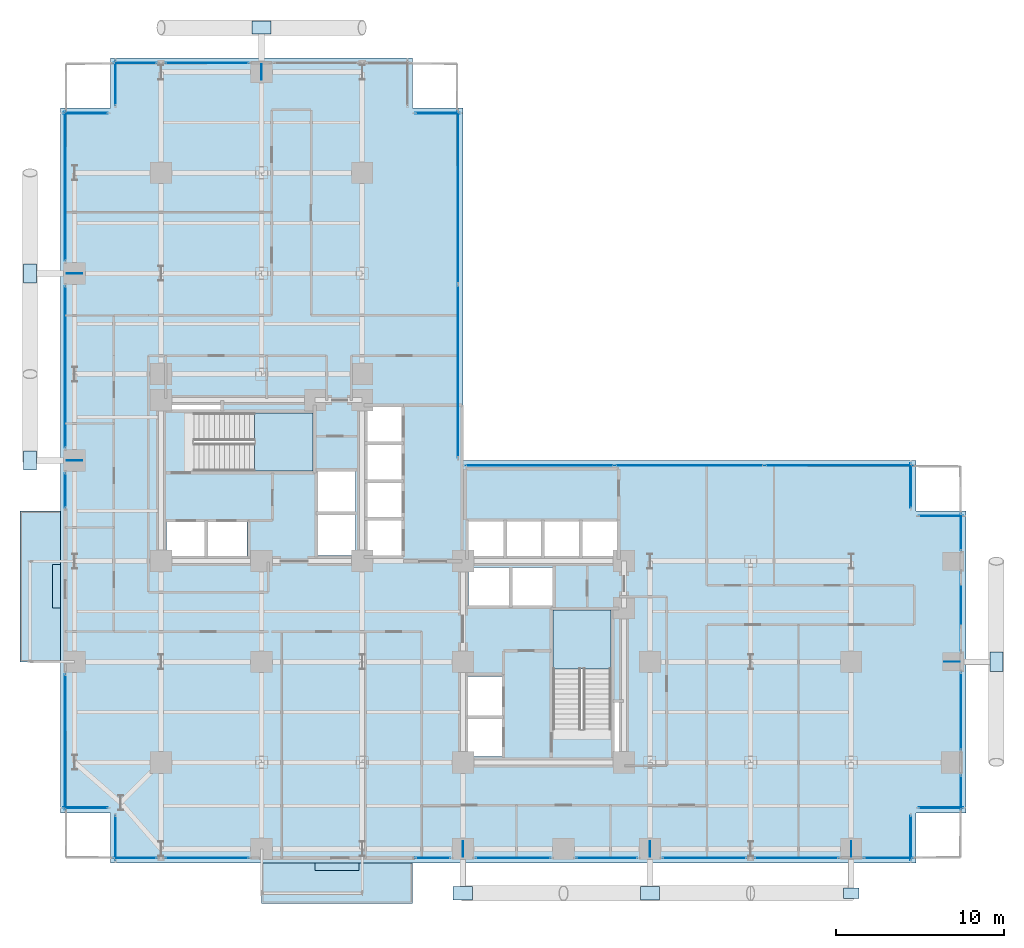
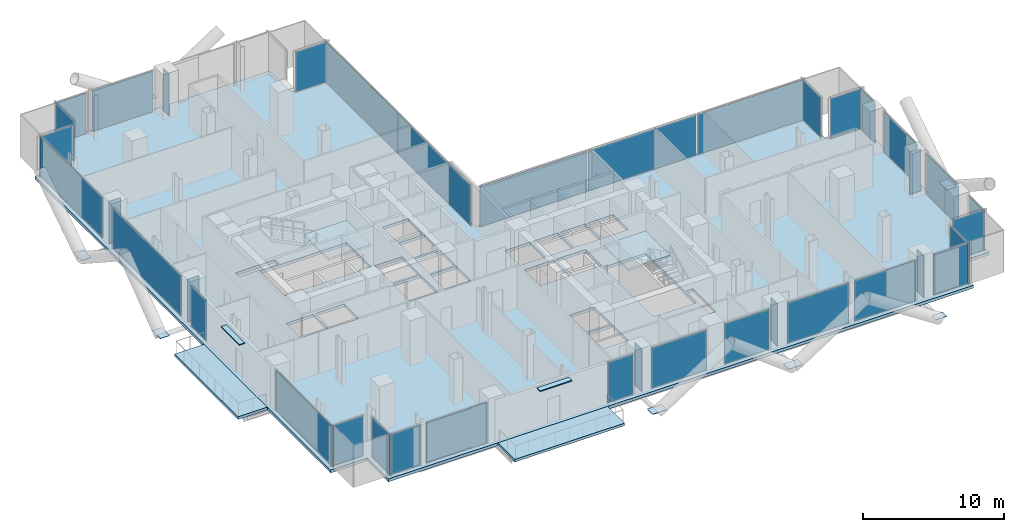
# One storey, part 17 of 25: 48 plates, 5 slabs, 31 elements without a shape of their own.
"""IFC4 building model written with IfcOpenShell, lengths in metres."""

from ifc_helpers import new_model, si_unit, direction, frame, origin, origin_2d, place, context, subcontext, project, spatial, polyline, rectangle, outline, extrude, material, layer, layer_set, type_object, element, aggregate, save


model = new_model("IFC4")

# Units and contexts
model_context = context("Model", 3, precision=1e-05, world=origin(), true_north=direction((0.0, 1.0)))
body_context = subcontext(model_context, "Body", "Model", "MODEL_VIEW")
ifc_project = project(units=[si_unit("LENGTHUNIT", "METRE"), si_unit("AREAUNIT", "SQUARE_METRE"), si_unit("VOLUMEUNIT", "CUBIC_METRE"), si_unit("PLANEANGLEUNIT", "RADIAN"), si_unit("MASSUNIT", "GRAM", prefix="KILO"), si_unit("THERMODYNAMICTEMPERATUREUNIT", "KELVIN"), si_unit("POWERUNIT", "WATT")], contexts=[model_context])

# Site, building, storey
site_placement = place(None, origin())
site = spatial("IfcSite", under=ifc_project, at=site_placement, CompositionType="ELEMENT")
building_placement = place(site_placement, origin())
building = spatial("IfcBuilding", under=site, at=building_placement, Name="Svarakhadi Broadcast Tower", CompositionType="ELEMENT")
storey_placement = place(building_placement, frame((0.0, 0.0, 36.300048828125)))
storey = spatial("IfcBuildingStorey", under=building, at=storey_placement, Name="L07", CompositionType="ELEMENT", Elevation=36.300048828125)

# Curtain wall, plate
ifc_material_1 = material(Name="Anodised Bronze Aluminium AA 6063-T6", Category="aluminium")
ifc_layer_1 = layer(ifc_material_1, 0.219970703125)
ifc_layer_set_1 = layer_set([ifc_layer_1], Name="Anodised Bronze Aluminium AA 6063-T6")
curtain_wall_type = type_object("IfcCurtainWallType", Name="CW_Sys_02", PredefinedType="NOTDEFINED", material=ifc_layer_set_1)
curtain_wall_1_placement = place(storey_placement, origin())
curtain_wall_1 = element("IfcCurtainWall", 1, at=curtain_wall_1_placement, inside=storey, type_object=curtain_wall_type, Name="L07 Unitised Facade Curtain Wall 01", PredefinedType="NOTDEFINED")
ifc_material_2 = material(Name="Double Low-E Laminated Acoustic Glass IGU 36 mm", Category="glass")
ifc_layer_2 = layer(ifc_material_2, 0.035888671875)
ifc_layer_set_2 = layer_set([ifc_layer_2], Name="Double Low-E Laminated Acoustic Glass IGU 36 mm")
plate_type_1 = type_object("IfcPlateType", Name="CW_Sys_02_Pnl", PredefinedType="CURTAIN_PANEL", material=ifc_layer_set_2)
plate_1_placement = place(storey_placement, frame((1.5, 3.300048828125, 0.074951171875), z_axis=(0.0, 0.0, 1.0), x_axis=(-1.0, 0.0, 0.0)))
plate_1 = element("IfcPlate", 2, at=plate_1_placement, type_object=plate_type_1, Name="CW-02 panel 1.1", PredefinedType="CURTAIN_PANEL", context=body_context, shape_type="SweptSolid", body=[
    extrude(rectangle(XDim=2.64990234375, YDim=0.035888671875, at=origin_2d()), origin(), (0.0, 0.0, 1.0), 3.5),
])
aggregate(curtain_wall_1, [plate_1])

curtain_wall_2_placement = place(storey_placement, origin())
curtain_wall_2 = element("IfcCurtainWall", 3, at=curtain_wall_2_placement, inside=storey, type_object=curtain_wall_type, Name="L07 West Curtain Wall 02", PredefinedType="NOTDEFINED")
plate_2_placement = place(storey_placement, frame((0.300048828125, 7.2099609375, 0.074951171875), z_axis=(0.0, 0.0, 1.0), x_axis=(0.0, 1.0, 0.0)))
plate_2 = element("IfcPlate", 4, at=plate_2_placement, type_object=plate_type_1, Name="CW-02 panel 1.1", PredefinedType="CURTAIN_PANEL", context=body_context, shape_type="SweptSolid", body=[
    extrude(rectangle(XDim=8.070068359375, YDim=0.035888671875, at=origin_2d()), origin(), (0.0, 0.0, 1.0), 3.5),
])
aggregate(curtain_wall_2, [plate_2])

curtain_wall_3_placement = place(storey_placement, origin())
curtain_wall_3 = element("IfcCurtainWall", 5, at=curtain_wall_3_placement, inside=storey, type_object=curtain_wall_type, Name="L07 West Curtain Wall 03 Bay 1", PredefinedType="NOTDEFINED")
plate_3_placement = place(storey_placement, frame((0.300048828125, 22.2099609375, 0.074951171875), z_axis=(0.0, 0.0, 1.0), x_axis=(0.0, 1.0, 0.0)))
plate_3 = element("IfcPlate", 6, at=plate_3_placement, type_object=plate_type_1, Name="CW-02 panel 1.1", PredefinedType="CURTAIN_PANEL", context=body_context, shape_type="SweptSolid", body=[
    extrude(rectangle(XDim=2.070068359375, YDim=0.035888671875, at=origin_2d()), origin(), (0.0, 0.0, 1.0), 3.5),
])
aggregate(curtain_wall_3, [plate_3])

curtain_wall_4_placement = place(storey_placement, origin())
curtain_wall_4 = element("IfcCurtainWall", 7, at=curtain_wall_4_placement, inside=storey, type_object=curtain_wall_type, Name="L07 West Curtain Wall 03 Bay 2", PredefinedType="NOTDEFINED")
plate_4_placement = place(storey_placement, frame((0.300048828125, 29.574951171875, 0.074951171875), z_axis=(0.0, 0.0, 1.0), x_axis=(0.0, 1.0, 0.0)))
plate_4 = element("IfcPlate", 8, at=plate_4_placement, type_object=plate_type_1, Name="CW-02 panel 1.1", PredefinedType="CURTAIN_PANEL", context=body_context, shape_type="SweptSolid", body=[
    extrude(rectangle(XDim=9.639892578125, YDim=0.035888671875, at=origin_2d()), origin(), (0.0, 0.0, 1.0), 3.5),
])
aggregate(curtain_wall_4, [plate_4])

curtain_wall_5_placement = place(storey_placement, origin())
curtain_wall_5 = element("IfcCurtainWall", 9, at=curtain_wall_5_placement, inside=storey, type_object=curtain_wall_type, Name="L07 West Curtain Wall 03 Bay 3", PredefinedType="NOTDEFINED")
plate_5_placement = place(storey_placement, frame((0.300048828125, 40.364990234375, 0.074951171875), z_axis=(0.0, 0.0, 1.0), x_axis=(0.0, 1.0, 0.0)))
plate_5 = element("IfcPlate", 10, at=plate_5_placement, type_object=plate_type_1, Name="CW-02 panel 1.1", PredefinedType="CURTAIN_PANEL", context=body_context, shape_type="SweptSolid", body=[
    extrude(rectangle(XDim=8.919921875, YDim=0.035888671875, at=origin_2d()), origin(), (0.0, 0.0, 1.0), 3.5),
])
aggregate(curtain_wall_5, [plate_5])

curtain_wall_6_placement = place(storey_placement, origin())
curtain_wall_6 = element("IfcCurtainWall", 11, at=curtain_wall_6_placement, inside=storey, type_object=curtain_wall_type, Name="L07 Unitised Facade Curtain Wall 04", PredefinedType="NOTDEFINED")
plate_6_placement = place(storey_placement, frame((1.5, 44.699951171875, 0.074951171875), z_axis=(0.0, 0.0, 1.0), x_axis=(1.0, 0.0, 0.0)))
plate_6 = element("IfcPlate", 12, at=plate_6_placement, type_object=plate_type_1, Name="CW-02 panel 1.1", PredefinedType="CURTAIN_PANEL", context=body_context, shape_type="SweptSolid", body=[
    extrude(rectangle(XDim=2.64990234375, YDim=0.035888671875, at=origin_2d()), origin(), (0.0, 0.0, 1.0), 3.5),
])
aggregate(curtain_wall_6, [plate_6])

curtain_wall_7_placement = place(storey_placement, origin())
curtain_wall_7 = element("IfcCurtainWall", 13, at=curtain_wall_7_placement, inside=storey, type_object=curtain_wall_type, Name="L07 Unitised Facade Curtain Wall 05", PredefinedType="NOTDEFINED")
plate_7_placement = place(storey_placement, frame((3.300048828125, 46.5, 0.074951171875), z_axis=(0.0, 0.0, 1.0), x_axis=(0.0, 1.0, 0.0)))
plate_7 = element("IfcPlate", 14, at=plate_7_placement, type_object=plate_type_1, Name="CW-02 panel 1.1", PredefinedType="CURTAIN_PANEL", context=body_context, shape_type="SweptSolid", body=[
    extrude(rectangle(XDim=2.64990234375, YDim=0.035888671875, at=origin_2d()), origin(), (0.0, 0.0, 1.0), 3.5),
])
aggregate(curtain_wall_7, [plate_7])

curtain_wall_8_placement = place(storey_placement, origin())
curtain_wall_8 = element("IfcCurtainWall", 15, at=curtain_wall_8_placement, inside=storey, type_object=curtain_wall_type, Name="L07 Unitised Facade Curtain Wall 06 Bay 1", PredefinedType="NOTDEFINED")
plate_8_placement = place(storey_placement, frame((4.4599609375, 47.699951171875, 0.074951171875), z_axis=(0.0, 0.0, 1.0), x_axis=(1.0, 0.0, 0.0)))
plate_8 = element("IfcPlate", 16, at=plate_8_placement, type_object=plate_type_1, Name="CW-02 panel 1.1", PredefinedType="CURTAIN_PANEL", context=body_context, shape_type="SweptSolid", body=[
    extrude(rectangle(XDim=2.570068359375, YDim=0.035888671875, at=origin_2d()), origin(), (0.0, 0.0, 1.0), 3.5),
])
aggregate(curtain_wall_8, [plate_8])

curtain_wall_9_placement = place(storey_placement, origin())
curtain_wall_9 = element("IfcCurtainWall", 17, at=curtain_wall_9_placement, inside=storey, type_object=curtain_wall_type, Name="L07 Unitised Facade Curtain Wall 06 Bay 2", PredefinedType="NOTDEFINED")
plate_9_placement = place(storey_placement, frame((8.75, 47.699951171875, 0.074951171875), z_axis=(0.0, 0.0, 1.0), x_axis=(1.0, 0.0, 0.0)))
plate_9 = element("IfcPlate", 18, at=plate_9_placement, type_object=plate_type_1, Name="CW-02 panel 1.1", PredefinedType="CURTAIN_PANEL", context=body_context, shape_type="SweptSolid", body=[
    extrude(rectangle(XDim=4.989990234375, YDim=0.035888671875, at=origin_2d()), origin(), (0.0, 0.0, 1.0), 3.5),
])
aggregate(curtain_wall_9, [plate_9])

curtain_wall_10_placement = place(storey_placement, origin())
curtain_wall_10 = element("IfcCurtainWall", 19, at=curtain_wall_10_placement, inside=storey, type_object=curtain_wall_type, Name="L07 Unitised Facade Curtain Wall 08", PredefinedType="NOTDEFINED")
plate_10_placement = place(storey_placement, frame((22.5, 44.699951171875, 0.074951171875), z_axis=(0.0, 0.0, 1.0), x_axis=(1.0, 0.0, 0.0)))
plate_10 = element("IfcPlate", 20, at=plate_10_placement, type_object=plate_type_1, Name="CW-02 panel 1.1", PredefinedType="CURTAIN_PANEL", context=body_context, shape_type="SweptSolid", body=[
    extrude(rectangle(XDim=2.64990234375, YDim=0.035888671875, at=origin_2d()), origin(), (0.0, 0.0, 1.0), 3.5),
])
aggregate(curtain_wall_10, [plate_10])

# Curtain wall, plates
curtain_wall_11_placement = place(storey_placement, origin())
curtain_wall_11 = element("IfcCurtainWall", 21, at=curtain_wall_11_placement, inside=storey, type_object=curtain_wall_type, Name="L07 Unitised Facade Curtain Wall 09", PredefinedType="NOTDEFINED")
plate_11_placement = place(storey_placement, frame((23.699951171875, 39.683837890625, 0.074951171875), z_axis=(0.0, 0.0, 1.0), x_axis=(0.0, -1.0, 0.0)))
plate_11 = element("IfcPlate", 22, at=plate_11_placement, type_object=plate_type_1, Name="CW-02 panel 1.1", PredefinedType="CURTAIN_PANEL", context=body_context, shape_type="SweptSolid", body=[
    extrude(rectangle(XDim=10.282470703125, YDim=0.035888671875, at=origin_2d()), origin(), (0.0, 0.0, 1.0), 3.5),
])
plate_12_placement = place(storey_placement, frame((23.699951171875, 29.316162109375, 0.074951171875), z_axis=(0.0, 0.0, 1.0), x_axis=(0.0, -1.0, 0.0)))
plate_12 = element("IfcPlate", 23, at=plate_12_placement, type_object=plate_type_1, Name="CW-02 panel 2.1", PredefinedType="CURTAIN_PANEL", context=body_context, shape_type="SweptSolid", body=[
    extrude(rectangle(XDim=10.282470703125, YDim=0.035888671875, at=origin_2d()), origin(), (0.0, 0.0, 1.0), 3.5),
])
aggregate(curtain_wall_11, [plate_11, plate_12])

curtain_wall_12_placement = place(storey_placement, origin())
curtain_wall_12 = element("IfcCurtainWall", 24, at=curtain_wall_12_placement, inside=storey, type_object=curtain_wall_type, Name="L07 Unitised Facade Curtain Wall 10", PredefinedType="NOTDEFINED")
plate_13_placement = place(storey_placement, frame((28.581298828125, 23.699951171875, 0.074951171875), z_axis=(0.0, 0.0, 1.0), x_axis=(1.0, 0.0, 0.0)))
plate_13 = element("IfcPlate", 25, at=plate_13_placement, type_object=plate_type_1, Name="CW-02 panel 1.1", PredefinedType="CURTAIN_PANEL", context=body_context, shape_type="SweptSolid", body=[
    extrude(rectangle(XDim=8.8125, YDim=0.035888671875, at=origin_2d()), origin(), (0.0, 0.0, 1.0), 3.5),
])
plate_14_placement = place(storey_placement, frame((37.5, 23.699951171875, 0.074951171875), z_axis=(0.0, 0.0, 1.0), x_axis=(1.0, 0.0, 0.0)))
plate_14 = element("IfcPlate", 26, at=plate_14_placement, type_object=plate_type_1, Name="CW-02 panel 2.1", PredefinedType="CURTAIN_PANEL", context=body_context, shape_type="SweptSolid", body=[
    extrude(rectangle(XDim=8.85498046875, YDim=0.035888671875, at=origin_2d()), origin(), (0.0, 0.0, 1.0), 3.5),
])
plate_15_placement = place(storey_placement, frame((46.418701171875, 23.699951171875, 0.074951171875), z_axis=(0.0, 0.0, 1.0), x_axis=(1.0, 0.0, 0.0)))
plate_15 = element("IfcPlate", 27, at=plate_15_placement, type_object=plate_type_1, Name="CW-02 panel 3.1", PredefinedType="CURTAIN_PANEL", context=body_context, shape_type="SweptSolid", body=[
    extrude(rectangle(XDim=8.8125, YDim=0.035888671875, at=origin_2d()), origin(), (0.0, 0.0, 1.0), 3.5),
])
aggregate(curtain_wall_12, [plate_13, plate_14, plate_15])

# Curtain wall, plate
curtain_wall_13_placement = place(storey_placement, origin())
curtain_wall_13 = element("IfcCurtainWall", 28, at=curtain_wall_13_placement, inside=storey, type_object=curtain_wall_type, Name="L07 Unitised Facade Curtain Wall 11", PredefinedType="NOTDEFINED")
plate_16_placement = place(storey_placement, frame((50.699951171875, 22.5, 0.074951171875), z_axis=(0.0, 0.0, 1.0), x_axis=(0.0, -1.0, 0.0)))
plate_16 = element("IfcPlate", 29, at=plate_16_placement, type_object=plate_type_1, Name="CW-02 panel 1.1", PredefinedType="CURTAIN_PANEL", context=body_context, shape_type="SweptSolid", body=[
    extrude(rectangle(XDim=2.64990234375, YDim=0.035888671875, at=origin_2d()), origin(), (0.0, 0.0, 1.0), 3.5),
])
aggregate(curtain_wall_13, [plate_16])

curtain_wall_14_placement = place(storey_placement, origin())
curtain_wall_14 = element("IfcCurtainWall", 30, at=curtain_wall_14_placement, inside=storey, type_object=curtain_wall_type, Name="L07 Unitised Facade Curtain Wall 12", PredefinedType="NOTDEFINED")
plate_17_placement = place(storey_placement, frame((52.5, 20.699951171875, 0.074951171875), z_axis=(0.0, 0.0, 1.0), x_axis=(1.0, 0.0, 0.0)))
plate_17 = element("IfcPlate", 31, at=plate_17_placement, type_object=plate_type_1, Name="CW-02 panel 1.1", PredefinedType="CURTAIN_PANEL", context=body_context, shape_type="SweptSolid", body=[
    extrude(rectangle(XDim=2.64990234375, YDim=0.035888671875, at=origin_2d()), origin(), (0.0, 0.0, 1.0), 3.5),
])
aggregate(curtain_wall_14, [plate_17])

curtain_wall_15_placement = place(storey_placement, origin())
curtain_wall_15 = element("IfcCurtainWall", 32, at=curtain_wall_15_placement, inside=storey, type_object=curtain_wall_type, Name="L07 Unitised Facade Curtain Wall 13 Bay 1", PredefinedType="NOTDEFINED")
plate_18_placement = place(storey_placement, frame((53.699951171875, 19.739990234375, 0.074951171875), z_axis=(0.0, 0.0, 1.0), x_axis=(0.0, -1.0, 0.0)))
plate_18 = element("IfcPlate", 33, at=plate_18_placement, type_object=plate_type_1, Name="CW-02 panel 1.1", PredefinedType="CURTAIN_PANEL", context=body_context, shape_type="SweptSolid", body=[
    extrude(rectangle(XDim=2.169921875, YDim=0.035888671875, at=origin_2d()), origin(), (0.0, 0.0, 1.0), 3.5),
])
aggregate(curtain_wall_15, [plate_18])

curtain_wall_16_placement = place(storey_placement, origin())
curtain_wall_16 = element("IfcCurtainWall", 34, at=curtain_wall_16_placement, inside=storey, type_object=curtain_wall_type, Name="L07 Unitised Facade Curtain Wall 13 Bay 2", PredefinedType="NOTDEFINED")
plate_19_placement = place(storey_placement, frame((53.699951171875, 15.0, 0.074951171875), z_axis=(0.0, 0.0, 1.0), x_axis=(0.0, -1.0, 0.0)))
plate_19 = element("IfcPlate", 35, at=plate_19_placement, type_object=plate_type_1, Name="CW-02 panel 1.1", PredefinedType="CURTAIN_PANEL", context=body_context, shape_type="SweptSolid", body=[
    extrude(rectangle(XDim=4.68994140625, YDim=0.035888671875, at=origin_2d()), origin(), (0.0, 0.0, 1.0), 3.5),
])
aggregate(curtain_wall_16, [plate_19])

curtain_wall_17_placement = place(storey_placement, origin())
curtain_wall_17 = element("IfcCurtainWall", 36, at=curtain_wall_17_placement, inside=storey, type_object=curtain_wall_type, Name="L07 Unitised Facade Curtain Wall 13 Bay 3", PredefinedType="NOTDEFINED")
plate_20_placement = place(storey_placement, frame((53.699951171875, 9.050048828125, 0.074951171875), z_axis=(0.0, 0.0, 1.0), x_axis=(0.0, -1.0, 0.0)))
plate_20 = element("IfcPlate", 37, at=plate_20_placement, type_object=plate_type_1, Name="CW-02 panel 1.1", PredefinedType="CURTAIN_PANEL", context=body_context, shape_type="SweptSolid", body=[
    extrude(rectangle(XDim=4.590087890625, YDim=0.035888671875, at=origin_2d()), origin(), (0.0, 0.0, 1.0), 3.5),
])
aggregate(curtain_wall_17, [plate_20])

curtain_wall_18_placement = place(storey_placement, origin())
curtain_wall_18 = element("IfcCurtainWall", 38, at=curtain_wall_18_placement, inside=storey, type_object=curtain_wall_type, Name="L07 Unitised Facade Curtain Wall 13 Bay 4", PredefinedType="NOTDEFINED")
plate_21_placement = place(storey_placement, frame((53.699951171875, 4.2099609375, 0.074951171875), z_axis=(0.0, 0.0, 1.0), x_axis=(0.0, -1.0, 0.0)))
plate_21 = element("IfcPlate", 39, at=plate_21_placement, type_object=plate_type_1, Name="CW-02 panel 1.1", PredefinedType="CURTAIN_PANEL", context=body_context, shape_type="SweptSolid", body=[
    extrude(rectangle(XDim=2.070068359375, YDim=0.035888671875, at=origin_2d()), origin(), (0.0, 0.0, 1.0), 3.5),
])
aggregate(curtain_wall_18, [plate_21])

curtain_wall_19_placement = place(storey_placement, origin())
curtain_wall_19 = element("IfcCurtainWall", 40, at=curtain_wall_19_placement, inside=storey, type_object=curtain_wall_type, Name="L07 Unitised Facade Curtain Wall 14", PredefinedType="NOTDEFINED")
plate_22_placement = place(storey_placement, frame((52.5, 3.300048828125, 0.074951171875), z_axis=(0.0, 0.0, 1.0), x_axis=(-1.0, 0.0, 0.0)))
plate_22 = element("IfcPlate", 41, at=plate_22_placement, type_object=plate_type_1, Name="CW-02 panel 1.1", PredefinedType="CURTAIN_PANEL", context=body_context, shape_type="SweptSolid", body=[
    extrude(rectangle(XDim=2.64990234375, YDim=0.035888671875, at=origin_2d()), origin(), (0.0, 0.0, 1.0), 3.5),
])
aggregate(curtain_wall_19, [plate_22])

curtain_wall_20_placement = place(storey_placement, origin())
curtain_wall_20 = element("IfcCurtainWall", 42, at=curtain_wall_20_placement, inside=storey, type_object=curtain_wall_type, Name="L07 Unitised Facade Curtain Wall 15", PredefinedType="NOTDEFINED")
plate_23_placement = place(storey_placement, frame((50.699951171875, 1.5, 0.074951171875), z_axis=(0.0, 0.0, 1.0), x_axis=(0.0, -1.0, 0.0)))
plate_23 = element("IfcPlate", 43, at=plate_23_placement, type_object=plate_type_1, Name="CW-02 panel 1.1", PredefinedType="CURTAIN_PANEL", context=body_context, shape_type="SweptSolid", body=[
    extrude(rectangle(XDim=2.64990234375, YDim=0.035888671875, at=origin_2d()), origin(), (0.0, 0.0, 1.0), 3.5),
])
aggregate(curtain_wall_20, [plate_23])

curtain_wall_21_placement = place(storey_placement, origin())
curtain_wall_21 = element("IfcCurtainWall", 44, at=curtain_wall_21_placement, inside=storey, type_object=curtain_wall_type, Name="L07 South Curtain Wall 16 Bay 1", PredefinedType="NOTDEFINED")
plate_24_placement = place(storey_placement, frame((49.364990234375, 0.300048828125, 0.074951171875), z_axis=(0.0, 0.0, 1.0), x_axis=(-1.0, 0.0, 0.0)))
plate_24 = element("IfcPlate", 45, at=plate_24_placement, type_object=plate_type_1, Name="CW-02 panel 1.1", PredefinedType="CURTAIN_PANEL", context=body_context, shape_type="SweptSolid", body=[
    extrude(rectangle(XDim=2.919921875, YDim=0.035888671875, at=origin_2d()), origin(), (0.0, 0.0, 1.0), 3.5),
])
aggregate(curtain_wall_21, [plate_24])

curtain_wall_22_placement = place(storey_placement, origin())
curtain_wall_22 = element("IfcCurtainWall", 46, at=curtain_wall_22_placement, inside=storey, type_object=curtain_wall_type, Name="L07 South Curtain Wall 16 Bay 2", PredefinedType="NOTDEFINED")
plate_25_placement = place(storey_placement, frame((43.89990234375, 0.300048828125, 0.074951171875), z_axis=(0.0, 0.0, 1.0), x_axis=(-1.0, 0.0, 0.0)))
plate_25 = element("IfcPlate", 47, at=plate_25_placement, type_object=plate_type_1, Name="CW-02 panel 1.1", PredefinedType="CURTAIN_PANEL", context=body_context, shape_type="SweptSolid", body=[
    extrude(rectangle(XDim=4.989990234375, YDim=0.035888671875, at=origin_2d()), origin(), (0.0, 0.0, 1.0), 3.5),
])
aggregate(curtain_wall_22, [plate_25])

curtain_wall_23_placement = place(storey_placement, origin())
curtain_wall_23 = element("IfcCurtainWall", 48, at=curtain_wall_23_placement, inside=storey, type_object=curtain_wall_type, Name="L07 South Curtain Wall 16 Bay 3", PredefinedType="NOTDEFINED")
plate_26_placement = place(storey_placement, frame((38.39990234375, 0.300048828125, 0.074951171875), z_axis=(0.0, 0.0, 1.0), x_axis=(-1.0, 0.0, 0.0)))
plate_26 = element("IfcPlate", 49, at=plate_26_placement, type_object=plate_type_1, Name="CW-02 panel 1.1", PredefinedType="CURTAIN_PANEL", context=body_context, shape_type="SweptSolid", body=[
    extrude(rectangle(XDim=4.989990234375, YDim=0.035888671875, at=origin_2d()), origin(), (0.0, 0.0, 1.0), 3.5),
])
aggregate(curtain_wall_23, [plate_26])

curtain_wall_24_placement = place(storey_placement, origin())
curtain_wall_24 = element("IfcCurtainWall", 50, at=curtain_wall_24_placement, inside=storey, type_object=curtain_wall_type, Name="L07 South Curtain Wall 16 Bay 4", PredefinedType="NOTDEFINED")
plate_27_placement = place(storey_placement, frame((32.574951171875, 0.300048828125, 0.074951171875), z_axis=(0.0, 0.0, 1.0), x_axis=(-1.0, 0.0, 0.0)))
plate_27 = element("IfcPlate", 51, at=plate_27_placement, type_object=plate_type_1, Name="CW-02 panel 1.1", PredefinedType="CURTAIN_PANEL", context=body_context, shape_type="SweptSolid", body=[
    extrude(rectangle(XDim=3.639892578125, YDim=0.035888671875, at=origin_2d()), origin(), (0.0, 0.0, 1.0), 3.5),
])
aggregate(curtain_wall_24, [plate_27])

curtain_wall_25_placement = place(storey_placement, origin())
curtain_wall_25 = element("IfcCurtainWall", 52, at=curtain_wall_25_placement, inside=storey, type_object=curtain_wall_type, Name="L07 South Curtain Wall 16 Bay 5", PredefinedType="NOTDEFINED")
plate_28_placement = place(storey_placement, frame((27.0, 0.300048828125, 0.074951171875), z_axis=(0.0, 0.0, 1.0), x_axis=(-1.0, 0.0, 0.0)))
plate_28 = element("IfcPlate", 53, at=plate_28_placement, type_object=plate_type_1, Name="CW-02 panel 1.1", PredefinedType="CURTAIN_PANEL", context=body_context, shape_type="SweptSolid", body=[
    extrude(rectangle(XDim=4.489990234375, YDim=0.035888671875, at=origin_2d()), origin(), (0.0, 0.0, 1.0), 3.5),
])
aggregate(curtain_wall_25, [plate_28])

curtain_wall_26_placement = place(storey_placement, origin())
curtain_wall_26 = element("IfcCurtainWall", 54, at=curtain_wall_26_placement, inside=storey, type_object=curtain_wall_type, Name="L07 South Curtain Wall 16 Bay 6", PredefinedType="NOTDEFINED")
plate_29_placement = place(storey_placement, frame((22.2099609375, 0.300048828125, 0.074951171875), z_axis=(0.0, 0.0, 1.0), x_axis=(-1.0, 0.0, 0.0)))
plate_29 = element("IfcPlate", 55, at=plate_29_placement, type_object=plate_type_1, Name="CW-02 panel 1.1", PredefinedType="CURTAIN_PANEL", context=body_context, shape_type="SweptSolid", body=[
    extrude(rectangle(XDim=2.070068359375, YDim=0.035888671875, at=origin_2d()), origin(), (0.0, 0.0, 1.0), 3.5),
])
aggregate(curtain_wall_26, [plate_29])

curtain_wall_27_placement = place(storey_placement, origin())
curtain_wall_27 = element("IfcCurtainWall", 56, at=curtain_wall_27_placement, inside=storey, type_object=curtain_wall_type, Name="L07 South Curtain Wall 17 Bay 1", PredefinedType="NOTDEFINED")
plate_30_placement = place(storey_placement, frame((8.75, 0.300048828125, 0.074951171875), z_axis=(0.0, 0.0, 1.0), x_axis=(-1.0, 0.0, 0.0)))
plate_30 = element("IfcPlate", 57, at=plate_30_placement, type_object=plate_type_1, Name="CW-02 panel 1.1", PredefinedType="CURTAIN_PANEL", context=body_context, shape_type="SweptSolid", body=[
    extrude(rectangle(XDim=4.989990234375, YDim=0.035888671875, at=origin_2d()), origin(), (0.0, 0.0, 1.0), 3.5),
])
aggregate(curtain_wall_27, [plate_30])

curtain_wall_28_placement = place(storey_placement, origin())
curtain_wall_28 = element("IfcCurtainWall", 58, at=curtain_wall_28_placement, inside=storey, type_object=curtain_wall_type, Name="L07 South Curtain Wall 17 Bay 2", PredefinedType="NOTDEFINED")
plate_31_placement = place(storey_placement, frame((4.4599609375, 0.300048828125, 0.074951171875), z_axis=(0.0, 0.0, 1.0), x_axis=(-1.0, 0.0, 0.0)))
plate_31 = element("IfcPlate", 59, at=plate_31_placement, type_object=plate_type_1, Name="CW-02 panel 1.1", PredefinedType="CURTAIN_PANEL", context=body_context, shape_type="SweptSolid", body=[
    extrude(rectangle(XDim=2.570068359375, YDim=0.035888671875, at=origin_2d()), origin(), (0.0, 0.0, 1.0), 3.5),
])
aggregate(curtain_wall_28, [plate_31])

curtain_wall_29_placement = place(storey_placement, origin())
curtain_wall_29 = element("IfcCurtainWall", 60, at=curtain_wall_29_placement, inside=storey, type_object=curtain_wall_type, Name="L07 Unitised Facade Curtain Wall 18", PredefinedType="NOTDEFINED")
plate_32_placement = place(storey_placement, frame((3.300048828125, 1.5, 0.074951171875), z_axis=(0.0, 0.0, 1.0), x_axis=(0.0, 1.0, 0.0)))
plate_32 = element("IfcPlate", 61, at=plate_32_placement, type_object=plate_type_1, Name="CW-02 panel 1.1", PredefinedType="CURTAIN_PANEL", context=body_context, shape_type="SweptSolid", body=[
    extrude(rectangle(XDim=2.64990234375, YDim=0.035888671875, at=origin_2d()), origin(), (0.0, 0.0, 1.0), 3.5),
])
aggregate(curtain_wall_29, [plate_32])

# Plates
ifc_material_3 = material(Name="Steel S460ML (IS 2062 E450BR)", Category="steel")
ifc_layer_3 = layer(ifc_material_3, 0.035888671875)
ifc_layer_set_3 = layer_set([ifc_layer_3], Name="Steel S460ML (IS 2062 E450BR)")
plate_type_2 = type_object("IfcPlateType", Name="Node_Gusset_N01", PredefinedType="SHEET", material=ifc_layer_set_3)
for number, where, z_axis, x_axis, name in (
    (62, (24.0, -1.800048828125, -0.25), (0.0, 0.0, 1.0), (1.0, 0.0, 0.0), "L07 Exoskeleton Gusset Node Plate S01"),
    (63, (35.14990234375, -1.800048828125, -0.25), (0.0, 0.0, 1.0), (1.0, 0.0, 0.0), "L07 Exoskeleton Gusset Node Plate S02"),
    (64, (-1.800048828125, 24.0, -0.25), (0.0, 0.0, 1.0), (0.0, 1.0, 0.0), "L07 Exoskeleton Gusset Node Plate W04"),
    (65, (-1.800048828125, 35.14990234375, -0.25), (0.0, 0.0, 1.0), (0.0, 1.0, 0.0), "L07 Exoskeleton Gusset Node Plate W05"),
    (66, (55.800048828125, 12.0, -0.25), (0.0, 0.0, 1.0), (0.0, 1.0, 0.0), "L07 Exoskeleton Gusset Node Plate E06"),
    (67, (12.0, 49.800048828125, -0.25), (0.0, 0.0, 1.0), (1.0, 0.0, 0.0), "L07 Exoskeleton Gusset Node Plate N07"),
):
    element("IfcPlate", number, at=place(storey_placement, frame(where, z_axis=z_axis, x_axis=x_axis)), inside=storey, type_object=plate_type_2, Name=name, PredefinedType="SHEET", context=body_context, shape_type="SweptSolid", body=[
        extrude(rectangle(XDim=1.14990234375, YDim=0.780029296875, at=origin_2d()), origin(), (0.0, 0.0, 1.0), 0.035888671875),
    ])
ifc_layer_4 = layer(ifc_material_3, 0.02587890625)
ifc_layer_set_4 = layer_set([ifc_layer_4], Name="Steel S460ML (IS 2062 E450BR)")
plate_type_3 = type_object("IfcPlateType", Name="Node_Gusset_N07", PredefinedType="SHEET", material=ifc_layer_set_4)
plate_33_placement = place(storey_placement, frame((47.14990234375, -1.800048828125, -0.25), z_axis=(0.0, 0.0, 1.0), x_axis=(1.0, 0.0, 0.0)))
element("IfcPlate", 68, at=plate_33_placement, inside=storey, type_object=plate_type_3, Name="L07 Exoskeleton Gusset Node Plate S03", PredefinedType="SHEET", context=body_context, shape_type="SweptSolid", body=[
    extrude(rectangle(XDim=0.919921875, YDim=0.6201171875, at=origin_2d()), origin(), (0.0, 0.0, 1.0), 0.02587890625),
])
for number, where, z_axis, x_axis, name in (
    (69, (24.0, 0.85009765625, -0.6279296875), (0.0, 0.0, 1.0), (0.0, 1.0, 0.0), "L07 Brace End Connection Gusset Plate N-07-E0027"),
    (70, (35.14990234375, 0.85009765625, -0.6279296875), (0.0, 0.0, 1.0), (0.0, 1.0, 0.0), "L07 Brace End Connection Gusset Plate N-07-E0028"),
    (71, (47.14990234375, 0.85009765625, -0.6279296875), (0.0, 0.0, 1.0), (0.0, 1.0, 0.0), "L07 Brace End Connection Gusset Plate N-07-E0029"),
    (72, (0.85009765625, 24.0, -0.6279296875), (0.0, 0.0, 1.0), (1.0, 0.0, 0.0), "L07 Brace End Connection Gusset Plate N-07-E0030"),
    (73, (0.85009765625, 35.14990234375, -0.6279296875), (0.0, 0.0, 1.0), (1.0, 0.0, 0.0), "L07 Brace End Connection Gusset Plate N-07-E0031"),
    (74, (53.14990234375, 12.0, -0.6279296875), (0.0, 0.0, 1.0), (1.0, 0.0, 0.0), "L07 Brace End Connection Gusset Plate N-07-E0032"),
    (75, (12.0, 47.14990234375, -0.6279296875), (0.0, 0.0, 1.0), (0.0, 1.0, 0.0), "L07 Brace End Connection Gusset Plate N-07-E0033"),
):
    element("IfcPlate", number, at=place(storey_placement, frame(where, z_axis=z_axis, x_axis=x_axis)), inside=storey, type_object=plate_type_3, Name=name, PredefinedType="SHEET", context=body_context, shape_type="SweptSolid", body=[
        extrude(rectangle(XDim=0.919921875, YDim=0.02587890625, at=origin_2d()), origin(), (0.0, 0.0, 1.0), 4.300048828125),
    ])

# Slab
ifc_material_4 = material(Name="Concrete C40/50 (IS 456 M50)", Category="concrete")
ifc_layer_5 = layer(ifc_material_4, 0.25)
ifc_layer_set_5 = layer_set([ifc_layer_5], Name="Concrete C40/50 (IS 456 M50)")
slab_type_1 = type_object("IfcSlabType", Name="Slab_Floor_250", PredefinedType="FLOOR", material=ifc_layer_set_5)
slab_1_placement = place(storey_placement, frame((0.0, 0.0, -0.25)))
element("IfcSlab", 76, at=slab_1_placement, inside=storey, type_object=slab_type_1, Name="L07 Structural Floor Slab", PredefinedType="FLOOR", context=body_context, shape_type="SweptSolid", body=[
    extrude(outline(polyline([(3.0, 0.0), (51.0, 0.0), (51.0, 3.0), (54.0, 3.0), (54.0, 21.0), (51.0, 21.0), (51.0, 24.0), (24.0, 24.0), (24.0, 45.0), (21.0, 45.0), (21.0, 48.0), (3.0, 48.0), (3.0, 45.0), (0.0, 45.0), (0.0, 3.0), (3.0, 3.0), (3.0, 0.0)]), holes=[polyline([(7.97998046875, 23.360107421875), (15.080078125, 23.360107421875), (15.080078125, 26.840087890625), (7.97998046875, 26.840087890625), (7.97998046875, 23.360107421875)]), polyline([(32.840087890625, 7.97998046875), (32.840087890625, 15.080078125), (29.360107421875, 15.080078125), (29.360107421875, 7.97998046875), (32.840087890625, 7.97998046875)]), polyline([(6.340087890625, 18.2900390625), (8.610107421875, 18.2900390625), (8.610107421875, 20.330078125), (6.340087890625, 20.330078125), (6.340087890625, 18.2900390625)]), polyline([(8.7900390625, 18.2900390625), (11.1298828125, 18.2900390625), (11.1298828125, 20.330078125), (8.7900390625, 20.330078125), (8.7900390625, 18.2900390625)]), polyline([(24.2900390625, 6.340087890625), (26.330078125, 6.340087890625), (26.330078125, 8.610107421875), (24.2900390625, 8.610107421875), (24.2900390625, 6.340087890625)]), polyline([(24.2900390625, 8.7900390625), (26.330078125, 8.7900390625), (26.330078125, 11.1298828125), (24.2900390625, 11.1298828125), (24.2900390625, 8.7900390625)]), polyline([(6.340087890625, 26.989990234375), (9.610107421875, 26.989990234375), (9.610107421875, 27.530029296875), (6.340087890625, 27.530029296875), (6.340087890625, 26.989990234375)]), polyline([(32.989990234375, 6.340087890625), (33.530029296875, 6.340087890625), (33.530029296875, 9.610107421875), (32.989990234375, 9.610107421875), (32.989990234375, 6.340087890625)]), polyline([(15.340087890625, 18.340087890625), (17.610107421875, 18.340087890625), (17.610107421875, 20.760009765625), (15.340087890625, 20.760009765625), (15.340087890625, 18.340087890625)]), polyline([(15.340087890625, 20.93994140625), (17.610107421875, 20.93994140625), (17.610107421875, 23.360107421875), (15.340087890625, 23.360107421875), (15.340087890625, 20.93994140625)]), polyline([(24.340087890625, 15.340087890625), (26.760009765625, 15.340087890625), (26.760009765625, 17.610107421875), (24.340087890625, 17.610107421875), (24.340087890625, 15.340087890625)]), polyline([(26.93994140625, 15.340087890625), (29.360107421875, 15.340087890625), (29.360107421875, 17.610107421875), (26.93994140625, 17.610107421875), (26.93994140625, 15.340087890625)]), polyline([(18.239990234375, 18.340087890625), (20.360107421875, 18.340087890625), (20.360107421875, 20.429931640625), (18.239990234375, 20.429931640625), (18.239990234375, 18.340087890625)]), polyline([(18.239990234375, 20.610107421875), (20.360107421875, 20.610107421875), (20.360107421875, 22.679931640625), (18.239990234375, 22.679931640625), (18.239990234375, 20.610107421875)]), polyline([(18.239990234375, 22.860107421875), (20.360107421875, 22.860107421875), (20.360107421875, 24.929931640625), (18.239990234375, 24.929931640625), (18.239990234375, 22.860107421875)]), polyline([(18.239990234375, 25.110107421875), (20.360107421875, 25.110107421875), (20.360107421875, 27.2099609375), (18.239990234375, 27.2099609375), (18.239990234375, 25.110107421875)]), polyline([(24.340087890625, 18.239990234375), (26.429931640625, 18.239990234375), (26.429931640625, 20.360107421875), (24.340087890625, 20.360107421875), (24.340087890625, 18.239990234375)]), polyline([(26.610107421875, 18.239990234375), (28.679931640625, 18.239990234375), (28.679931640625, 20.360107421875), (26.610107421875, 20.360107421875), (26.610107421875, 18.239990234375)]), polyline([(28.860107421875, 18.239990234375), (30.929931640625, 18.239990234375), (30.929931640625, 20.360107421875), (28.860107421875, 20.360107421875), (28.860107421875, 18.239990234375)]), polyline([(31.110107421875, 18.239990234375), (33.2099609375, 18.239990234375), (33.2099609375, 20.360107421875), (31.110107421875, 20.360107421875), (31.110107421875, 18.239990234375)])]), origin(), (0.0, 0.0, 1.0), 0.25),
])

# Stair, slab
stair_type = type_object("IfcStairType", Name="Stair_Exit_Core", PredefinedType="HALF_TURN_STAIR", material=ifc_material_4)
stair_1_placement = place(storey_placement, origin())
stair_1 = element("IfcStair", 77, at=stair_1_placement, inside=storey, type_object=stair_type, Name="L07 West Core Protected Exit Stair ST-01", PredefinedType="HALF_TURN_STAIR")
ifc_layer_6 = layer(ifc_material_4, 0.199951171875)
ifc_layer_set_6 = layer_set([ifc_layer_6], Name="Concrete C40/50 (IS 456 M50)")
slab_type_2 = type_object("IfcSlabType", Name="Slab_Stair_Land", PredefinedType="LANDING", material=ifc_layer_set_6)
slab_2_placement = place(storey_placement, frame((0.0, 0.0, 1.75)))
slab_2 = element("IfcSlab", 78, at=slab_2_placement, type_object=slab_type_2, Name="ST-01 landing 1", PredefinedType="LANDING", context=body_context, shape_type="SweptSolid", body=[
    extrude(outline(polyline([(11.580078125, 23.360107421875), (15.080078125, 23.360107421875), (15.080078125, 26.840087890625), (11.580078125, 26.840087890625), (11.580078125, 23.360107421875)])), origin(), (0.0, 0.0, 1.0), 0.199951171875),
])
aggregate(stair_1, [slab_2])

stair_2_placement = place(storey_placement, origin())
stair_2 = element("IfcStair", 79, at=stair_2_placement, inside=storey, type_object=stair_type, Name="L07 East Core Protected Exit Stair ST-02", PredefinedType="HALF_TURN_STAIR")
slab_3_placement = place(storey_placement, frame((0.0, 0.0, 1.75)))
slab_3 = element("IfcSlab", 80, at=slab_3_placement, type_object=slab_type_2, Name="ST-02 landing 1", PredefinedType="LANDING", context=body_context, shape_type="SweptSolid", body=[
    extrude(outline(polyline([(32.840087890625, 11.580078125), (32.840087890625, 15.080078125), (29.360107421875, 15.080078125), (29.360107421875, 11.580078125), (32.840087890625, 11.580078125)])), origin(), (0.0, 0.0, 1.0), 0.199951171875),
])
aggregate(stair_2, [slab_3])

# Slabs
ifc_layer_7 = layer(ifc_material_4, 0.22509765625)
ifc_layer_set_7 = layer_set([ifc_layer_7], Name="Concrete C40/50 (IS 456 M50)")
slab_type_3 = type_object("IfcSlabType", Name="Slab_TreeBalcony", PredefinedType="FLOOR", material=ifc_layer_set_7)
slab_4_placement = place(storey_placement, frame((0.0, 0.0, -0.22509765625)))
element("IfcSlab", 81, at=slab_4_placement, inside=storey, type_object=slab_type_3, Name="L07 Planted Tree Balcony Slab BAL-S", PredefinedType="FLOOR", context=body_context, shape_type="SweptSolid", body=[
    extrude(outline(polyline([(12.0, -2.39990234375), (21.0, -2.39990234375), (21.0, 0.0), (12.0, 0.0), (12.0, -2.39990234375)])), origin(), (0.0, 0.0, 1.0), 0.22509765625),
])
slab_5_placement = place(storey_placement, frame((0.0, 0.0, -0.22509765625)))
element("IfcSlab", 82, at=slab_5_placement, inside=storey, type_object=slab_type_3, Name="L07 Planted Tree Balcony Slab BAL-W", PredefinedType="FLOOR", context=body_context, shape_type="SweptSolid", body=[
    extrude(outline(polyline([(-2.39990234375, 12.0), (0.0, 12.0), (0.0, 21.0), (-2.39990234375, 21.0), (-2.39990234375, 12.0)])), origin(), (0.0, 0.0, 1.0), 0.22509765625),
])

# Plates
ifc_layer_8 = layer(ifc_material_1, 0.080078125)
ifc_layer_set_8 = layer_set([ifc_layer_8], Name="Anodised Bronze Aluminium AA 6063-T6")
plate_type_4 = type_object("IfcPlateType", Name="Sunshade_Fin_SS01", PredefinedType="USERDEFINED", material=ifc_layer_set_8)
for number, where, z_axis, x_axis, name in (
    (83, (16.5, -0.22509765625, 3.56982421875), (0.0, 0.0, 1.0), (1.0, 0.0, 0.0), "L07 South Bronze Brise-Soleil Sunshade SS-01"),
    (84, (-0.22509765625, 16.5, 3.56982421875), (0.0, 0.0, 1.0), (0.0, 1.0, 0.0), "L07 West Bronze Brise-Soleil Sunshade SS-01"),
):
    element("IfcPlate", number, at=place(storey_placement, frame(where, z_axis=z_axis, x_axis=x_axis)), inside=storey, type_object=plate_type_4, Name=name, ObjectType="SUNSHADE", PredefinedType="USERDEFINED", context=body_context, shape_type="SweptSolid", body=[
        extrude(rectangle(XDim=2.60009765625, YDim=0.449951171875, at=origin_2d()), origin(), (0.0, 0.0, 1.0), 0.080078125),
    ])

save(model, "model.ifc")
